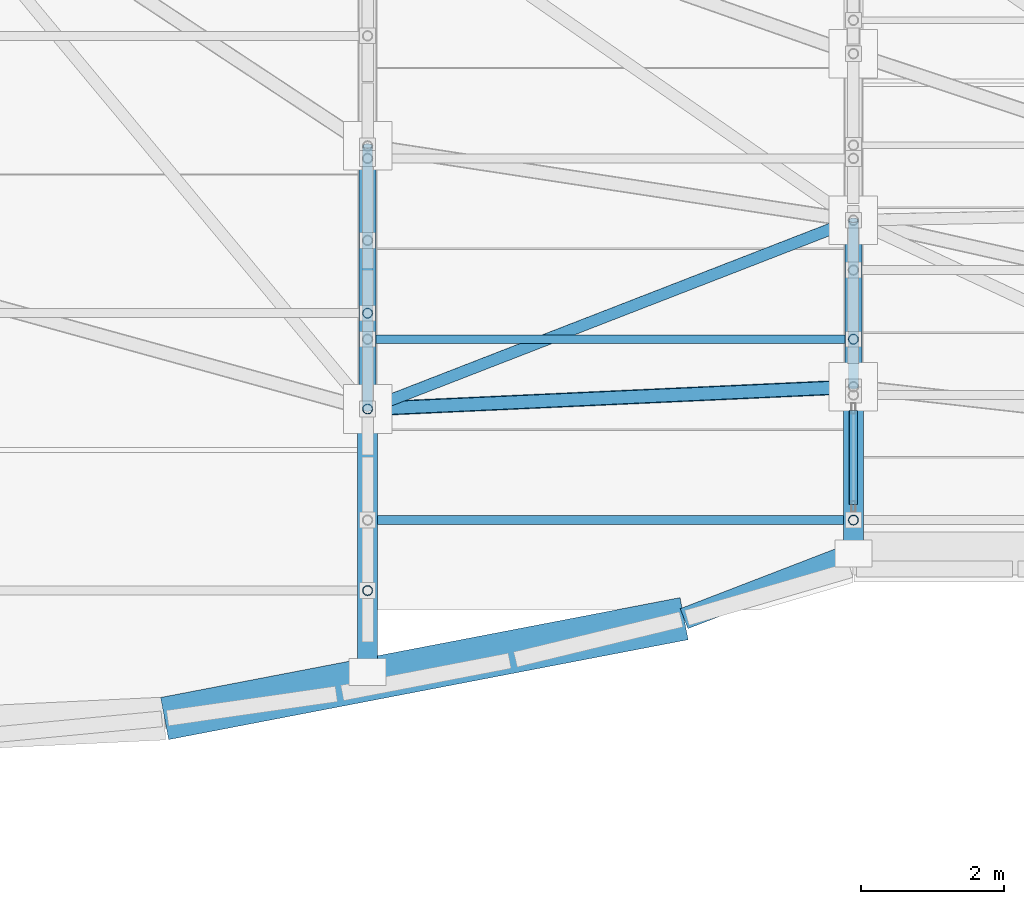
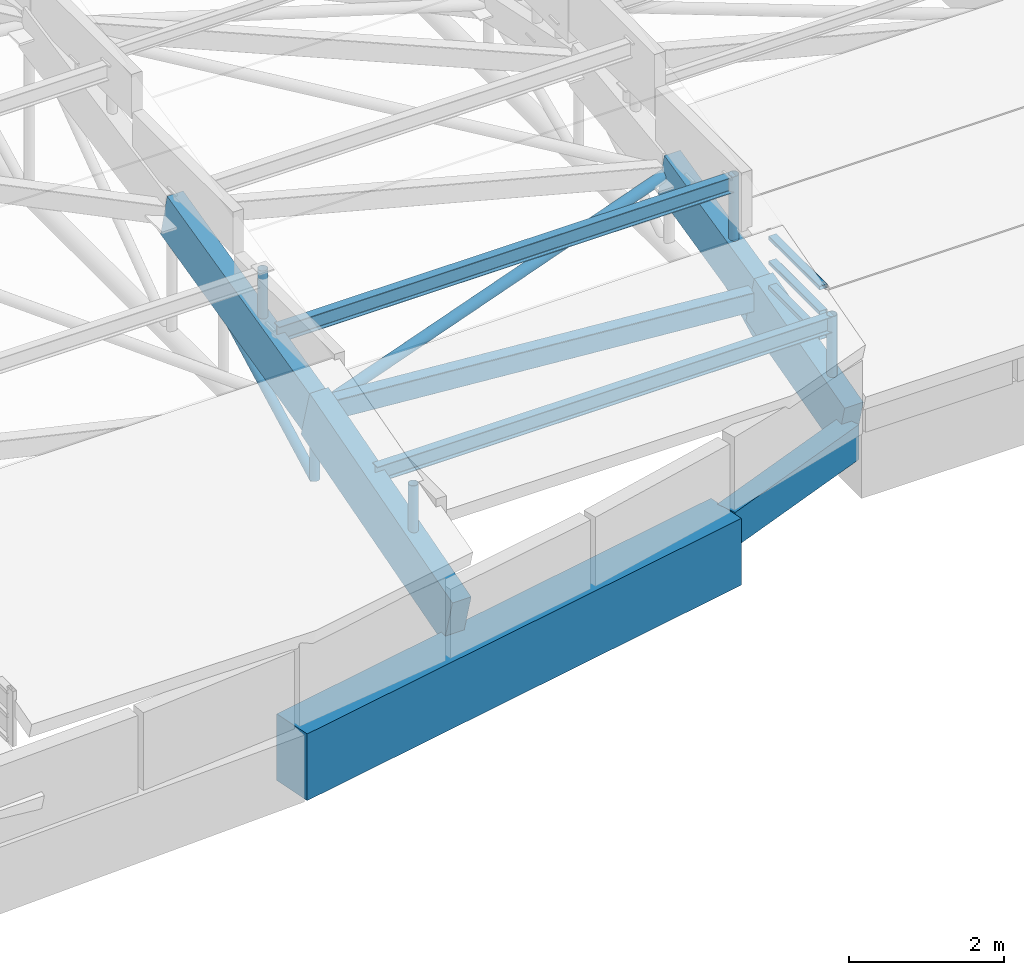
# One storey, part 29 of 188: 18 members, 2 beams, 1 element without a shape of its own.
"""IFC4 building model written with IfcOpenShell, lengths in metres."""

from ifc_helpers import new_model, si_unit, direction, frame, origin, origin_2d, place, context, subcontext, project, spatial, rectangle, hollow_rectangle, hollow_circle, i_section, extrude, material, layer, layer_set, material_profile, profile_set, type_object, element, aggregate, save


model = new_model("IFC4")

# Units and contexts
model_context = context("Model", 3, precision=1e-05, world=origin(), true_north=direction((0.0, 1.0)))
body_context = subcontext(model_context, "Body", "Model", "MODEL_VIEW")
ifc_project = project(units=[si_unit("LENGTHUNIT", "METRE"), si_unit("AREAUNIT", "SQUARE_METRE"), si_unit("VOLUMEUNIT", "CUBIC_METRE"), si_unit("PLANEANGLEUNIT", "RADIAN"), si_unit("MASSUNIT", "GRAM", prefix="KILO")], contexts=[model_context])

# Site, building, storey
site_placement = place(None, origin())
site = spatial("IfcSite", under=ifc_project, at=site_placement, CompositionType="ELEMENT")
building_placement = place(site_placement, origin())
building = spatial("IfcBuilding", under=site, at=building_placement, Name="Kisaragi Civic Commons", CompositionType="ELEMENT")
storey_placement = place(building_placement, frame((0.0, 0.0, 9.60009765625)))
storey = spatial("IfcBuildingStorey", under=building, at=storey_placement, Name="L02", CompositionType="ELEMENT", Elevation=9.60009765625)

# Member
ifc_material_1 = material(Name="Steel SN400 (SN400B)", Category="steel")
ifc_material_profile_1 = material_profile(ifc_material_1, hollow_circle(Radius=0.08251953125, WallThickness=0.006103515625, at=origin_2d()), Name="CHS-165.2x6.0", Category="steel")
ifc_profile_set_1 = profile_set([ifc_material_profile_1], Name="Steel SN400 (SN400B)")
member_type_1 = type_object("IfcMemberType", Name="BR-02", PredefinedType="BRACE", material=ifc_profile_set_1)
member_1_placement = place(storey_placement, frame((34.0, 6.0400390625, 0.985595703125), z_axis=(0.93168817459, 0.361964518624, -0.030640375109), x_axis=(-0.3621345504, 0.932125832389, 0.0)))
element("IfcMember", 1, at=member_1_placement, inside=storey, type_object=member_type_1, Name="V1 diagonal gridshell steel brace 31", PredefinedType="BRACE", context=body_context, shape_type="SweptSolid", body=[
    extrude(hollow_circle(Radius=0.08251953125, WallThickness=0.006103515625, at=origin_2d()), origin(), (0.0, 0.0, 1.0), 7.298583984375),
])

# Curtain wall, members
ifc_material_2 = material(Name="Thermally broken anodized aluminium and low-E double glazing", Category="aluminium")
ifc_layer = layer(ifc_material_2, 0.14990234375, Name="Thermally broken anodized aluminium and low-E double glazing", Category="aluminium")
ifc_layer_set = layer_set([ifc_layer], Name="Thermally broken anodized aluminium and low-E double glazing")
curtain_wall_type = type_object("IfcCurtainWallType", Name="CW-03", PredefinedType="NOTDEFINED", material=ifc_layer_set)
curtain_wall_placement = place(storey_placement, origin())
curtain_wall = element("IfcCurtainWall", 2, at=curtain_wall_placement, inside=storey, type_object=curtain_wall_type, Name="L02 curtain wall CW-03 CW-CL-V1-170", PredefinedType="NOTDEFINED")
ifc_material_profile_2 = material_profile(ifc_material_2, hollow_rectangle(XDim=0.1201171875, YDim=0.06005859375, WallThickness=0.00390625, InnerFilletRadius=0.00390625, OuterFilletRadius=0.008056640625, at=origin_2d()), Name="CWT-60x120x4", Category="aluminium")
ifc_profile_set_2 = profile_set([ifc_material_profile_2], Name="Thermally broken anodized aluminium and low-E double glazing")
member_type_2 = type_object("IfcMemberType", Name="CWT-01", PredefinedType="USERDEFINED", material=ifc_profile_set_2)
member_2_placement = place(storey_placement, frame((40.800048828125, 4.70556640625, 0.578125), z_axis=(0.0, 1.0, 0.0), x_axis=(-1.0, 0.0, 0.0)))
member_2 = element("IfcMember", 3, at=member_2_placement, type_object=member_type_2, Name="CW-03 transom 1.1", ObjectType="TRANSOM", PredefinedType="USERDEFINED", context=body_context, shape_type="SweptSolid", body=[
    extrude(hollow_rectangle(XDim=0.1201171875, YDim=0.06005859375, WallThickness=0.00390625, InnerFilletRadius=0.00390625, OuterFilletRadius=0.008056640625, at=origin_2d()), origin(), (0.0, 0.0, 1.0), 1.310791015625),
])
member_3_placement = place(storey_placement, frame((40.800048828125, 4.70556640625, 0.968994140625), z_axis=(0.0, 1.0, 0.0), x_axis=(-1.0, 0.0, 0.0)))
member_3 = element("IfcMember", 4, at=member_3_placement, type_object=member_type_2, Name="CW-03 transom 1.2", ObjectType="TRANSOM", PredefinedType="USERDEFINED", context=body_context, shape_type="SweptSolid", body=[
    extrude(hollow_rectangle(XDim=0.1201171875, YDim=0.06005859375, WallThickness=0.00390625, InnerFilletRadius=0.00390625, OuterFilletRadius=0.008056640625, at=origin_2d()), origin(), (0.0, 0.0, 1.0), 1.310791015625),
])
member_4_placement = place(storey_placement, frame((40.800048828125, 4.70556640625, 1.35986328125), z_axis=(0.0, 1.0, 0.0), x_axis=(-1.0, 0.0, 0.0)))
member_4 = element("IfcMember", 5, at=member_4_placement, type_object=member_type_2, Name="CW-03 transom 1.3", ObjectType="TRANSOM", PredefinedType="USERDEFINED", context=body_context, shape_type="SweptSolid", body=[
    extrude(hollow_rectangle(XDim=0.1201171875, YDim=0.06005859375, WallThickness=0.00390625, InnerFilletRadius=0.00390625, OuterFilletRadius=0.008056640625, at=origin_2d()), origin(), (0.0, 0.0, 1.0), 1.310791015625),
])
aggregate(curtain_wall, [member_2, member_3, member_4])

# Beam
ifc_material_3 = material(Name="Concrete Fc36", Category="concrete")
ifc_material_profile_3 = material_profile(ifc_material_3, rectangle(XDim=0.60009765625, YDim=1.050048828125, at=origin_2d()), Name="RC-600x1050", Category="concrete")
ifc_profile_set_3 = profile_set([ifc_material_profile_3], Name="Concrete Fc36")
beam_type_1 = type_object("IfcBeamType", Name="G-06", PredefinedType="BEAM", material=ifc_profile_set_3)
beam_1_placement = place(storey_placement, frame((31.159912109375, 1.707763671875, -0.84521484375), z_axis=(0.982009739896, 0.188830269684, 0.0), x_axis=(-0.188830269684, 0.982009739896, 0.0)))
element("IfcBeam", 6, at=beam_1_placement, inside=storey, type_object=beam_type_1, Name="L02 curved spandrel/ring girder G-06 266", PredefinedType="BEAM", context=body_context, shape_type="SweptSolid", body=[
    extrude(rectangle(XDim=0.60009765625, YDim=1.050048828125, at=origin_2d()), origin(), (0.0, 0.0, 1.0), 7.4033203125),
])

# Members
ifc_material_4 = material(Name="Steel SN490 (SN490B)", Category="steel")
ifc_material_profile_4 = material_profile(ifc_material_4, hollow_rectangle(XDim=0.199951171875, YDim=0.300048828125, WallThickness=0.009033203125, InnerFilletRadius=0.009033203125, OuterFilletRadius=0.01806640625, at=origin_2d()), Name="STKR-300x200x9", Category="steel")
ifc_profile_set_4 = profile_set([ifc_material_profile_4], Name="Steel SN490 (SN490B)")
member_type_3 = type_object("IfcMemberType", Name="GC-02", PredefinedType="CHORD", material=ifc_profile_set_4)
member_5_placement = place(storey_placement, frame((34.0, 6.0400390625, 0.985595703125), z_axis=(0.99263291737, 0.045403164353, -0.112331847756), x_axis=(-0.045692362819, 0.998955558561, 0.0)))
element("IfcMember", 7, at=member_5_placement, inside=storey, type_object=member_type_3, Name="V1 wave gridshell chord GC-02 36", PredefinedType="CHORD", context=body_context, shape_type="SweptSolid", body=[
    extrude(hollow_rectangle(XDim=0.199951171875, YDim=0.300048828125, WallThickness=0.009033203125, InnerFilletRadius=0.009033203125, OuterFilletRadius=0.01806640625, at=origin_2d()), origin(), (0.0, 0.0, 1.0), 6.8505859375),
])
ifc_material_5 = material(Name="Glulam E120-F330", Category="wood")
ifc_material_profile_5 = material_profile(ifc_material_5, rectangle(XDim=0.280029296875, YDim=0.81005859375, at=origin_2d()), Name="GL-280x810", Category="wood")
ifc_profile_set_5 = profile_set([ifc_material_profile_5], Name="Glulam E120-F330")
member_type_4 = type_object("IfcMemberType", Name="GR-01", PredefinedType="RAFTER", material=ifc_profile_set_5)
member_6_placement = place(storey_placement, frame((34.0, 2.3583984375, -0.080078125), z_axis=(0.0, 0.960568741479, 0.278042609851), x_axis=(-1.0, 0.0, 0.0)))
element("IfcMember", 8, at=member_6_placement, inside=storey, type_object=member_type_4, Name="V1 glulam arch rib GR-01 41", PredefinedType="RAFTER", context=body_context, shape_type="SweptSolid", body=[
    extrude(rectangle(XDim=0.280029296875, YDim=0.81005859375, at=origin_2d()), origin(), (0.0, 0.0, 1.0), 3.832763671875),
])
member_7_placement = place(storey_placement, frame((40.800048828125, 4.02001953125, -0.4111328125), z_axis=(0.0, 0.965656759331, 0.259821136858), x_axis=(-1.0, 0.0, 0.0)))
element("IfcMember", 9, at=member_7_placement, inside=storey, type_object=member_type_4, Name="V1 glulam arch rib GR-01 49", PredefinedType="RAFTER", context=body_context, shape_type="SweptSolid", body=[
    extrude(rectangle(XDim=0.280029296875, YDim=0.81005859375, at=origin_2d()), origin(), (0.0, 0.0, 1.0), 2.4140625),
])
ifc_material_profile_6 = material_profile(ifc_material_5, rectangle(XDim=0.239990234375, YDim=0.719970703125, at=origin_2d()), Name="GL-240x720", Category="wood")
ifc_profile_set_6 = profile_set([ifc_material_profile_6], Name="Glulam E120-F330")
member_type_5 = type_object("IfcMemberType", Name="GR-02", PredefinedType="RAFTER", material=ifc_profile_set_6)
member_8_placement = place(storey_placement, frame((34.0, 6.0400390625, 0.985595703125), z_axis=(0.0, 0.97219972509, 0.234153143337), x_axis=(-1.0, 0.0, 0.0)))
element("IfcMember", 10, at=member_8_placement, inside=storey, type_object=member_type_5, Name="V1 glulam arch rib GR-02 42", PredefinedType="RAFTER", context=body_context, shape_type="SweptSolid", body=[
    extrude(rectangle(XDim=0.239990234375, YDim=0.719970703125, at=origin_2d()), origin(), (0.0, 0.0, 1.0), 3.786865234375),
])
member_9_placement = place(storey_placement, frame((40.800048828125, 6.35107421875, 0.216064453125), z_axis=(0.0, 0.973652055957, 0.228038755328), x_axis=(-1.0, 0.0, 0.0)))
element("IfcMember", 11, at=member_9_placement, inside=storey, type_object=member_type_5, Name="V1 glulam arch rib GR-02 50", PredefinedType="RAFTER", context=body_context, shape_type="SweptSolid", body=[
    extrude(rectangle(XDim=0.239990234375, YDim=0.719970703125, at=origin_2d()), origin(), (0.0, 0.0, 1.0), 2.393798828125),
])

# Beam
ifc_material_6 = material(Name="Precast concrete Fc36", Category="concrete")
ifc_material_profile_7 = material_profile(ifc_material_6, rectangle(XDim=0.300048828125, YDim=0.550048828125, at=origin_2d()), Name="PC-300x550", Category="concrete")
ifc_profile_set_7 = profile_set([ifc_material_profile_7], Name="Precast concrete Fc36")
beam_type_2 = type_object("IfcBeamType", Name="LN-01", PredefinedType="LINTEL", material=ifc_profile_set_7)
beam_2_placement = place(storey_placement, frame((38.429931640625, 3.105712890625, -0.59521484375), z_axis=(0.932985984312, 0.359912702024, 0.0), x_axis=(-0.359912702024, 0.932985984312, 0.0)))
element("IfcBeam", 12, at=beam_2_placement, inside=storey, type_object=beam_type_2, Name="L02 curved spandrel/ring girder LN-01 267", PredefinedType="LINTEL", context=body_context, shape_type="SweptSolid", body=[
    extrude(rectangle(XDim=0.300048828125, YDim=0.550048828125, at=origin_2d()), origin(), (0.0, 0.0, 1.0), 2.540283203125),
])

# Members
ifc_material_profile_8 = material_profile(ifc_material_1, i_section(OverallWidth=0.125, OverallDepth=0.25, WebThickness=0.006103515625, FlangeThickness=0.009033203125, FilletRadius=0.008056640625, at=origin_2d()), Name="H-250x125x6x9", Category="steel")
ifc_profile_set_8 = profile_set([ifc_material_profile_8], Name="Steel SN400 (SN400B)")
member_type_6 = type_object("IfcMemberType", Name="PR-01", PredefinedType="PURLIN", material=ifc_profile_set_8)
for number, where, z_axis, x_axis, name in (
    (13, (34.0, 4.485595703125, 0.9501953125), (1.0, 0.0, 0.0), (0.0, 1.0, 0.0), "V1 wave vault steel purlin 40"),
    (14, (34.0, 7.0166015625, 1.6201171875), (1.0, 0.0, 0.0), (0.0, 1.0, 0.0), "V1 wave vault steel purlin 41"),
):
    element("IfcMember", number, at=place(storey_placement, frame(where, z_axis=z_axis, x_axis=x_axis)), inside=storey, type_object=member_type_6, Name=name, PredefinedType="PURLIN", context=body_context, shape_type="SweptSolid", body=[
        extrude(i_section(OverallWidth=0.125, OverallDepth=0.25, WebThickness=0.006103515625, FlangeThickness=0.009033203125, FilletRadius=0.008056640625, at=origin_2d()), origin(), (0.0, 0.0, 1.0), 6.800048828125),
    ])
ifc_material_profile_9 = material_profile(ifc_material_4, hollow_circle(Radius=0.06982421875, WallThickness=0.006103515625, at=origin_2d()), Name="CHS-139.8x6.0", Category="steel")
ifc_profile_set_9 = profile_set([ifc_material_profile_9], Name="Steel SN490 (SN490B)")
member_type_7 = type_object("IfcMemberType", Name="ST-H1", PredefinedType="STRUT", material=ifc_profile_set_9)
member_10_placement = place(storey_placement, frame((34.0, 6.0400390625, -0.080078125), z_axis=(0.0, 0.0, 1.0), x_axis=(1.0, 0.0, 0.0)))
element("IfcMember", 15, at=member_10_placement, inside=storey, type_object=member_type_7, Name="V1 arch tie hanger strut 71", PredefinedType="STRUT", context=body_context, shape_type="SweptSolid", body=[
    extrude(hollow_circle(Radius=0.06982421875, WallThickness=0.006103515625, at=origin_2d()), origin(), (0.0, 0.0, 1.0), 1.065673828125),
])
member_11_placement = place(storey_placement, frame((34.0, 6.0400390625, -0.080078125), z_axis=(0.0, 0.883461367262, 0.468504015517), x_axis=(-1.0, 0.0, 0.0)))
element("IfcMember", 16, at=member_11_placement, inside=storey, type_object=member_type_7, Name="V1 tied arch truss diagonal web strut 78", PredefinedType="STRUT", context=body_context, shape_type="SweptSolid", body=[
    extrude(hollow_circle(Radius=0.06982421875, WallThickness=0.006103515625, at=origin_2d()), origin(), (0.0, 0.0, 1.0), 4.167236328125),
])
member_12_placement = place(storey_placement, frame((40.800048828125, 6.35107421875, -0.440673828125), z_axis=(0.0, 0.888676944636, 0.458533846159), x_axis=(-1.0, 0.0, 0.0)))
element("IfcMember", 17, at=member_12_placement, inside=storey, type_object=member_type_7, Name="V1 tied arch truss diagonal web strut 88", PredefinedType="STRUT", context=body_context, shape_type="SweptSolid", body=[
    extrude(hollow_circle(Radius=0.06982421875, WallThickness=0.006103515625, at=origin_2d()), origin(), (0.0, 0.0, 1.0), 2.622802734375),
])
member_13_placement = place(storey_placement, frame((34.0, 3.499267578125, 0.25), z_axis=(0.0, 0.0, 1.0), x_axis=(1.0, 0.0, 0.0)))
element("IfcMember", 18, at=member_13_placement, inside=storey, type_object=member_type_7, Name="V1 clerestory monitor horizontal tie strut 5.5.1", PredefinedType="STRUT", context=body_context, shape_type="SweptSolid", body=[
    extrude(hollow_circle(Radius=0.06982421875, WallThickness=0.006103515625, at=origin_2d()), origin(), (0.0, 0.0, 1.0), 1.1416015625),
])
member_14_placement = place(storey_placement, frame((34.0, 7.380859375, 1.308349609375), z_axis=(0.0, 0.0, 1.0), x_axis=(1.0, 0.0, 0.0)))
element("IfcMember", 19, at=member_14_placement, inside=storey, type_object=member_type_7, Name="V1 clerestory monitor horizontal tie strut 5.5.2", PredefinedType="STRUT", context=body_context, shape_type="SweptSolid", body=[
    extrude(hollow_circle(Radius=0.06982421875, WallThickness=0.006103515625, at=origin_2d()), origin(), (0.0, 0.0, 1.0), 1.10888671875),
])
member_15_placement = place(storey_placement, frame((40.800048828125, 4.485595703125, -0.285888671875), z_axis=(0.0, 0.0, 1.0), x_axis=(1.0, 0.0, 0.0)))
element("IfcMember", 20, at=member_15_placement, inside=storey, type_object=member_type_7, Name="V1 clerestory monitor horizontal tie strut 6.6.1", PredefinedType="STRUT", context=body_context, shape_type="SweptSolid", body=[
    extrude(hollow_circle(Radius=0.06982421875, WallThickness=0.006103515625, at=origin_2d()), origin(), (0.0, 0.0, 1.0), 1.361083984375),
])
member_16_placement = place(storey_placement, frame((40.800048828125, 7.0166015625, 0.371826171875), z_axis=(0.0, 0.0, 1.0), x_axis=(1.0, 0.0, 0.0)))
element("IfcMember", 21, at=member_16_placement, inside=storey, type_object=member_type_7, Name="V1 clerestory monitor horizontal tie strut 6.6.2", PredefinedType="STRUT", context=body_context, shape_type="SweptSolid", body=[
    extrude(hollow_circle(Radius=0.06982421875, WallThickness=0.006103515625, at=origin_2d()), origin(), (0.0, 0.0, 1.0), 1.373291015625),
])

save(model, "model.ifc")
